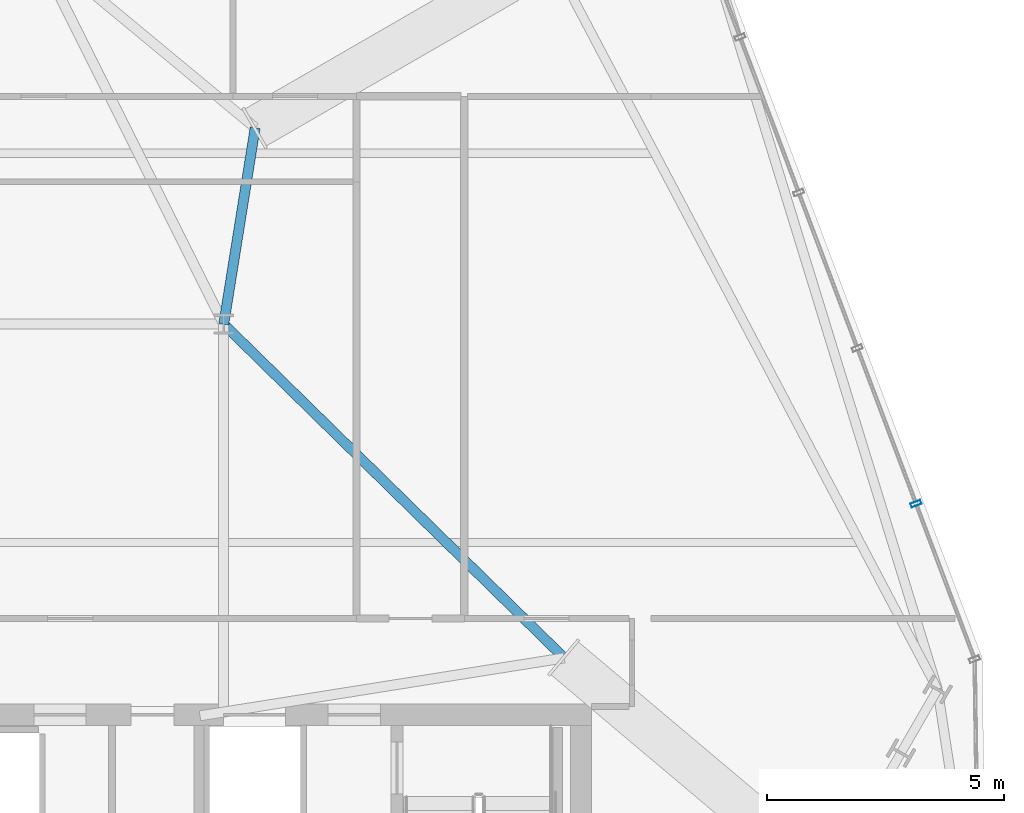
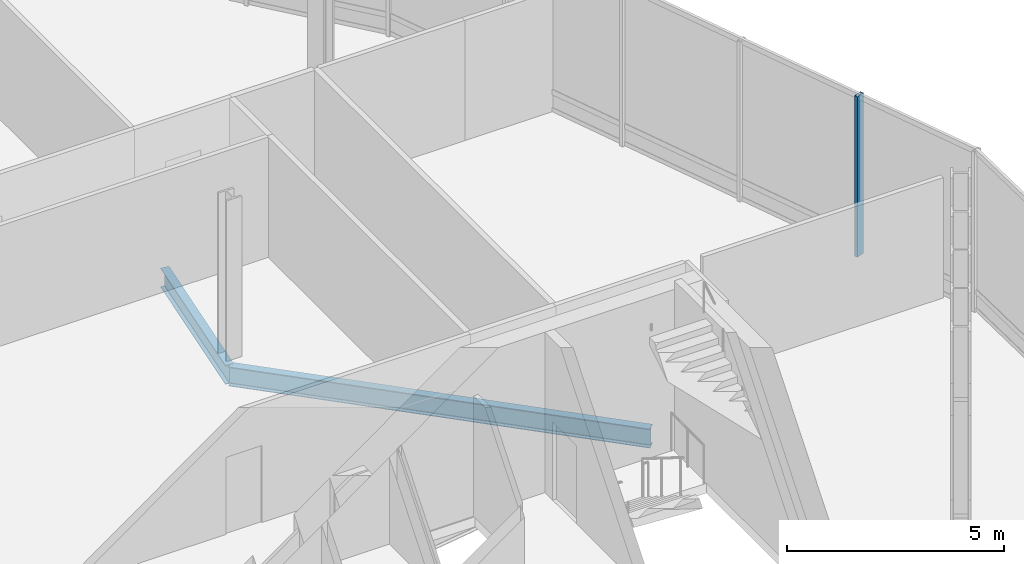
# One storey, part 12 of 26: 2 beams, 1 member, 1 element without a shape of its own.
"""IFC4 building model written with IfcOpenShell, lengths in metres."""

from ifc_helpers import new_model, si_unit, direction, frame, origin, origin_2d, place, context, subcontext, project, spatial, hollow_rectangle, i_section, extrude, material, layer, layer_set, material_profile, profile_set, type_object, element, aggregate, save


model = new_model("IFC4")

# Units and contexts
model_context = context("Model", 3, precision=1e-05, world=origin(), true_north=direction((0.0, 1.0)))
body_context = subcontext(model_context, "Body", "Model", "MODEL_VIEW")
ifc_project = project(units=[si_unit("LENGTHUNIT", "METRE"), si_unit("AREAUNIT", "SQUARE_METRE"), si_unit("VOLUMEUNIT", "CUBIC_METRE"), si_unit("PLANEANGLEUNIT", "RADIAN"), si_unit("MASSUNIT", "GRAM", prefix="KILO")], contexts=[model_context])

# Site, building, storey
site_placement = place(None, origin())
site = spatial("IfcSite", under=ifc_project, at=site_placement, CompositionType="ELEMENT")
building_placement = place(site_placement, origin())
building = spatial("IfcBuilding", under=site, at=building_placement, Name="Ndaravel Arena Tower", CompositionType="ELEMENT")
storey_placement = place(building_placement, frame((0.0, 0.0, 117.39990234375)))
storey = spatial("IfcBuildingStorey", under=building, at=storey_placement, Name="L27", CompositionType="ELEMENT", Elevation=117.39990234375)

# Beams
ifc_material_1 = material(Name="Steel S355", Category="steel")
ifc_material_profile_1 = material_profile(ifc_material_1, i_section(OverallWidth=0.210693359375, OverallDepth=0.53955078125, WebThickness=0.01171875, FlangeThickness=0.018798828125, FilletRadius=0.0126953125, at=origin_2d()), Name="UB 533x210x109")
ifc_profile_set_1 = profile_set([ifc_material_profile_1], Name="Steel S355")
beam_type = type_object("IfcBeamType", Name="BM-GIRD-UB533", PredefinedType="BEAM", material=ifc_profile_set_1)
beam_1_placement = place(storey_placement, frame((56.971923828125, 16.16943359375, -0.549560546875), z_axis=(-0.714109294942, 0.700034224076, 0.0), x_axis=(-0.700034224076, -0.714109294942, 0.0)))
element("IfcBeam", 1, at=beam_1_placement, inside=storey, type_object=beam_type, Name="L27 Star Backspan Anchor Tie SAT2-3", PredefinedType="BEAM", context=body_context, shape_type="SweptSolid", body=[
    extrude(i_section(OverallWidth=0.210693359375, OverallDepth=0.53955078125, WebThickness=0.01171875, FlangeThickness=0.018798828125, FilletRadius=0.0126953125, at=origin_2d()), origin(), (0.0, 0.0, 1.0), 10.043212890625),
])
beam_2_placement = place(storey_placement, frame((49.800048828125, 23.199951171875, -0.549560546875), z_axis=(0.158151802814, 0.987414810131, 0.0), x_axis=(-0.987414810131, 0.158151802814, 0.0)))
element("IfcBeam", 2, at=beam_2_placement, inside=storey, type_object=beam_type, Name="L27 Star Backspan Anchor Tie SAT1-4", PredefinedType="BEAM", context=body_context, shape_type="SweptSolid", body=[
    extrude(i_section(OverallWidth=0.210693359375, OverallDepth=0.53955078125, WebThickness=0.01171875, FlangeThickness=0.018798828125, FilletRadius=0.0126953125, at=origin_2d()), origin(), (0.0, 0.0, 1.0), 4.191162109375),
])

# Curtain wall, member
ifc_material_2 = material(Name="Aluminium", Category="aluminium")
ifc_layer = layer(ifc_material_2, 0.179931640625)
ifc_layer_set = layer_set([ifc_layer], Name="Aluminium")
curtain_wall_type = type_object("IfcCurtainWallType", Name="CW-SYS-04", PredefinedType="NOTDEFINED", material=ifc_layer_set)
curtain_wall_placement = place(storey_placement, origin())
curtain_wall = element("IfcCurtainWall", 3, at=curtain_wall_placement, inside=storey, type_object=curtain_wall_type, Name="L27 Faceted Crystal Curtain Wall CW-L27-E06", PredefinedType="NOTDEFINED")
ifc_material_3 = material(Name="Aluminium", Category="aluminium")
ifc_material_profile_2 = material_profile(ifc_material_3, hollow_rectangle(XDim=0.090087890625, YDim=0.219970703125, WallThickness=0.0048828125, at=origin_2d()), Name="CW MULLION 90x220x5")
ifc_profile_set_2 = profile_set([ifc_material_profile_2], Name="Aluminium")
member_type = type_object("IfcMemberType", Name="MEM-CW-MUL220", PredefinedType="MULLION", material=ifc_profile_set_2)
member_placement = place(storey_placement, frame((64.3828125, 19.418212890625, 0.0), z_axis=(0.0, 0.0, 1.0), x_axis=(-0.352805363625, 0.935696732599, 0.0)))
member = element("IfcMember", 4, at=member_placement, type_object=member_type, Name="CW-L27-E06 Mullion 01", PredefinedType="MULLION", context=body_context, shape_type="SweptSolid", body=[
    extrude(hollow_rectangle(XDim=0.090087890625, YDim=0.219970703125, WallThickness=0.0048828125, at=origin_2d()), origin(), (0.0, 0.0, 1.0), 4.52001953125),
])
aggregate(curtain_wall, [member])

save(model, "model.ifc")
